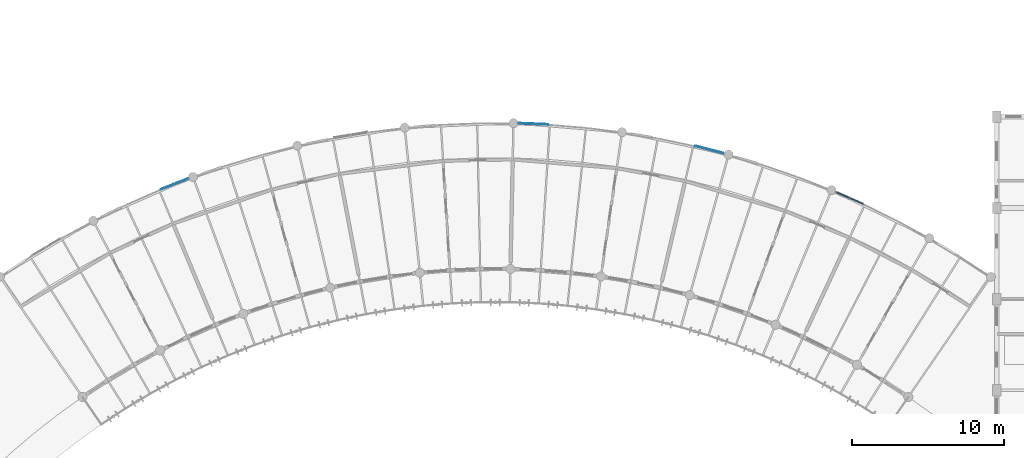
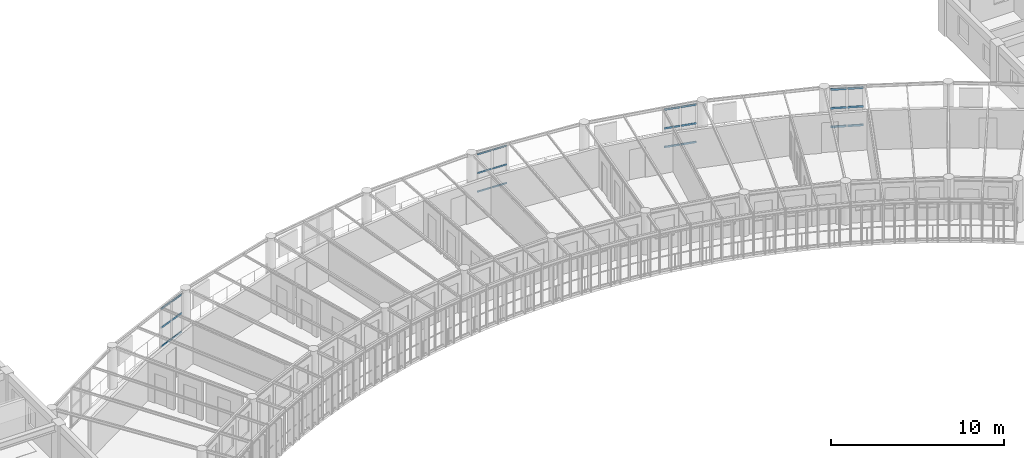
# One storey, part 43 of 100: 24 members, 4 elements without a shape of their own.
"""IFC4 building model written with IfcOpenShell, lengths in metres."""

from ifc_helpers import new_model, si_unit, direction, frame, origin, origin_2d, place, context, subcontext, project, spatial, rectangle, extrude, material, layer, layer_set, material_profile, profile_set, type_object, element, aggregate, save


model = new_model("IFC4")

# Units and contexts
model_context = context("Model", 3, precision=1e-05, world=origin(), true_north=direction((0.0, 1.0)))
body_context = subcontext(model_context, "Body", "Model", "MODEL_VIEW")
ifc_project = project(units=[si_unit("LENGTHUNIT", "METRE"), si_unit("AREAUNIT", "SQUARE_METRE"), si_unit("VOLUMEUNIT", "CUBIC_METRE"), si_unit("PLANEANGLEUNIT", "RADIAN"), si_unit("MASSUNIT", "GRAM", prefix="KILO"), si_unit("POWERUNIT", "WATT"), si_unit("THERMODYNAMICTEMPERATUREUNIT", "KELVIN")], contexts=[model_context])

# Site, building, storey
site_placement = place(None, origin())
site = spatial("IfcSite", under=ifc_project, at=site_placement, CompositionType="ELEMENT")
building_placement = place(site_placement, origin())
building = spatial("IfcBuilding", under=site, at=building_placement, Name="Ruvembo Vaulted Housing Court", CompositionType="ELEMENT")
storey_placement = place(building_placement, frame((0.0, 0.0, 14.10009765625)))
storey = spatial("IfcBuildingStorey", under=building, at=storey_placement, Name="L04", CompositionType="ELEMENT", Elevation=14.10009765625)

# Curtain wall, members
ifc_material_1 = material(Name="Anodised Aluminium and Solar-Control Glass", Category="aluminium")
ifc_layer_1 = layer(ifc_material_1, 0.1201171875, Name="Anodised Aluminium and Solar-Control Glass")
ifc_layer_set_1 = layer_set([ifc_layer_1], Name="Anodised Aluminium and Solar-Control Glass")
curtain_wall_type_1 = type_object("IfcCurtainWallType", Name="CW-SCOOP-GAL", PredefinedType="NOTDEFINED", material=ifc_layer_set_1)
curtain_wall_1_placement = place(storey_placement, origin())
curtain_wall_1 = element("IfcCurtainWall", 1, at=curtain_wall_1_placement, inside=storey, type_object=curtain_wall_type_1, Name="L04 Curtain Wall CW-L04-0078", PredefinedType="NOTDEFINED")
ifc_material_2 = material(Name="Anodised Aluminium 6063-T6", Category="aluminium")
ifc_material_profile_1 = material_profile(ifc_material_2, rectangle(XDim=0.06005859375, YDim=0.1201171875, at=origin_2d()), Name="ALU 60x120")
ifc_profile_set_1 = profile_set([ifc_material_profile_1], Name="Anodised Aluminium 6063-T6")
member_type_1 = type_object("IfcMemberType", Name="CW-TRANSOM-65x120", PredefinedType="USERDEFINED", material=ifc_profile_set_1)
member_1_placement = place(storey_placement, frame((94.976806640625, 103.220947265625, 0.02978515625), z_axis=(0.930973198487, 0.365087528818, 0.0), x_axis=(-0.365087528818, 0.930973198487, 0.0)))
member_1 = element("IfcMember", 2, at=member_1_placement, type_object=member_type_1, Name="CW6 transom 1.1", ObjectType="TRANSOM", PredefinedType="USERDEFINED", context=body_context, shape_type="SweptSolid", body=[
    extrude(rectangle(XDim=0.06005859375, YDim=0.1201171875, at=origin_2d()), origin(), (0.0, 0.0, 1.0), 0.9228515625),
])
member_2_placement = place(storey_placement, frame((94.976806640625, 103.220947265625, 1.348876953125), z_axis=(0.930973198487, 0.365087528818, 0.0), x_axis=(-0.365087528818, 0.930973198487, 0.0)))
member_2 = element("IfcMember", 3, at=member_2_placement, type_object=member_type_1, Name="CW6 transom 1.2", ObjectType="TRANSOM", PredefinedType="USERDEFINED", context=body_context, shape_type="SweptSolid", body=[
    extrude(rectangle(XDim=0.06005859375, YDim=0.1201171875, at=origin_2d()), origin(), (0.0, 0.0, 1.0), 0.9228515625),
])
member_3_placement = place(storey_placement, frame((94.976806640625, 103.220947265625, 2.66796875), z_axis=(0.930973198487, 0.365087528818, 0.0), x_axis=(-0.365087528818, 0.930973198487, 0.0)))
member_3 = element("IfcMember", 4, at=member_3_placement, type_object=member_type_1, Name="CW6 transom 1.3", ObjectType="TRANSOM", PredefinedType="USERDEFINED", context=body_context, shape_type="SweptSolid", body=[
    extrude(rectangle(XDim=0.06005859375, YDim=0.1201171875, at=origin_2d()), origin(), (0.0, 0.0, 1.0), 0.9228515625),
])
member_4_placement = place(storey_placement, frame((95.896484375, 103.58154296875, 0.02978515625), z_axis=(0.930973198487, 0.365087528818, 0.0), x_axis=(-0.365087528818, 0.930973198487, 0.0)))
member_4 = element("IfcMember", 5, at=member_4_placement, type_object=member_type_1, Name="CW6 transom 2.1", ObjectType="TRANSOM", PredefinedType="USERDEFINED", context=body_context, shape_type="SweptSolid", body=[
    extrude(rectangle(XDim=0.06005859375, YDim=0.1201171875, at=origin_2d()), origin(), (0.0, 0.0, 1.0), 0.9228515625),
])
member_5_placement = place(storey_placement, frame((95.896484375, 103.58154296875, 1.348876953125), z_axis=(0.930973198487, 0.365087528818, 0.0), x_axis=(-0.365087528818, 0.930973198487, 0.0)))
member_5 = element("IfcMember", 6, at=member_5_placement, type_object=member_type_1, Name="CW6 transom 2.2", ObjectType="TRANSOM", PredefinedType="USERDEFINED", context=body_context, shape_type="SweptSolid", body=[
    extrude(rectangle(XDim=0.06005859375, YDim=0.1201171875, at=origin_2d()), origin(), (0.0, 0.0, 1.0), 0.9228515625),
])
member_6_placement = place(storey_placement, frame((95.896484375, 103.58154296875, 2.66796875), z_axis=(0.930973198487, 0.365087528818, 0.0), x_axis=(-0.365087528818, 0.930973198487, 0.0)))
member_6 = element("IfcMember", 7, at=member_6_placement, type_object=member_type_1, Name="CW6 transom 2.3", ObjectType="TRANSOM", PredefinedType="USERDEFINED", context=body_context, shape_type="SweptSolid", body=[
    extrude(rectangle(XDim=0.06005859375, YDim=0.1201171875, at=origin_2d()), origin(), (0.0, 0.0, 1.0), 0.9228515625),
])
aggregate(curtain_wall_1, [member_1, member_2, member_3, member_4, member_5, member_6])

ifc_layer_2 = layer(ifc_material_1, 0.139892578125, Name="Anodised Aluminium and Solar-Control Glass")
ifc_layer_set_2 = layer_set([ifc_layer_2], Name="Anodised Aluminium and Solar-Control Glass")
curtain_wall_type_2 = type_object("IfcCurtainWallType", Name="CW-SCOOP-PAN", PredefinedType="NOTDEFINED", material=ifc_layer_set_2)
curtain_wall_2_placement = place(storey_placement, origin())
curtain_wall_2 = element("IfcCurtainWall", 8, at=curtain_wall_2_placement, inside=storey, type_object=curtain_wall_type_2, Name="L04 Curtain Wall CW-L04-0081", PredefinedType="NOTDEFINED")
member_7_placement = place(storey_placement, frame((130.143310546875, 106.078125, 0.02978515625), z_axis=(0.969162157618, -0.246423846738, 0.0), x_axis=(0.246423846738, 0.969162157618, 0.0)))
member_7 = element("IfcMember", 9, at=member_7_placement, type_object=member_type_1, Name="CW10 transom 1.1", ObjectType="TRANSOM", PredefinedType="USERDEFINED", context=body_context, shape_type="SweptSolid", body=[
    extrude(rectangle(XDim=0.06005859375, YDim=0.1201171875, at=origin_2d()), origin(), (0.0, 0.0, 1.0), 0.930419921875),
])
member_8_placement = place(storey_placement, frame((130.143310546875, 106.078125, 1.348876953125), z_axis=(0.969162157618, -0.246423846738, 0.0), x_axis=(0.246423846738, 0.969162157618, 0.0)))
member_8 = element("IfcMember", 10, at=member_8_placement, type_object=member_type_1, Name="CW10 transom 1.2", ObjectType="TRANSOM", PredefinedType="USERDEFINED", context=body_context, shape_type="SweptSolid", body=[
    extrude(rectangle(XDim=0.06005859375, YDim=0.1201171875, at=origin_2d()), origin(), (0.0, 0.0, 1.0), 0.930419921875),
])
member_9_placement = place(storey_placement, frame((130.143310546875, 106.078125, 2.66796875), z_axis=(0.969162157618, -0.246423846738, 0.0), x_axis=(0.246423846738, 0.969162157618, 0.0)))
member_9 = element("IfcMember", 11, at=member_9_placement, type_object=member_type_1, Name="CW10 transom 1.3", ObjectType="TRANSOM", PredefinedType="USERDEFINED", context=body_context, shape_type="SweptSolid", body=[
    extrude(rectangle(XDim=0.06005859375, YDim=0.1201171875, at=origin_2d()), origin(), (0.0, 0.0, 1.0), 0.930419921875),
])
member_10_placement = place(storey_placement, frame((131.10302734375, 105.833984375, 0.02978515625), z_axis=(0.969178087661, -0.246361186874, 0.0), x_axis=(0.246361186874, 0.969178087661, 0.0)))
member_10 = element("IfcMember", 12, at=member_10_placement, type_object=member_type_1, Name="CW10 transom 2.1", ObjectType="TRANSOM", PredefinedType="USERDEFINED", context=body_context, shape_type="SweptSolid", body=[
    extrude(rectangle(XDim=0.06005859375, YDim=0.1201171875, at=origin_2d()), origin(), (0.0, 0.0, 1.0), 0.930419921875),
])
member_11_placement = place(storey_placement, frame((131.10302734375, 105.833984375, 1.348876953125), z_axis=(0.969178087661, -0.246361186874, 0.0), x_axis=(0.246361186874, 0.969178087661, 0.0)))
member_11 = element("IfcMember", 13, at=member_11_placement, type_object=member_type_1, Name="CW10 transom 2.2", ObjectType="TRANSOM", PredefinedType="USERDEFINED", context=body_context, shape_type="SweptSolid", body=[
    extrude(rectangle(XDim=0.06005859375, YDim=0.1201171875, at=origin_2d()), origin(), (0.0, 0.0, 1.0), 0.930419921875),
])
member_12_placement = place(storey_placement, frame((131.10302734375, 105.833984375, 2.66796875), z_axis=(0.969178087661, -0.246361186874, 0.0), x_axis=(0.246361186874, 0.969178087661, 0.0)))
member_12 = element("IfcMember", 14, at=member_12_placement, type_object=member_type_1, Name="CW10 transom 2.3", ObjectType="TRANSOM", PredefinedType="USERDEFINED", context=body_context, shape_type="SweptSolid", body=[
    extrude(rectangle(XDim=0.06005859375, YDim=0.1201171875, at=origin_2d()), origin(), (0.0, 0.0, 1.0), 0.930419921875),
])
aggregate(curtain_wall_2, [member_7, member_8, member_9, member_10, member_11, member_12])

curtain_wall_3_placement = place(storey_placement, origin())
curtain_wall_3 = element("IfcCurtainWall", 15, at=curtain_wall_3_placement, inside=storey, type_object=curtain_wall_type_1, Name="L04 Curtain Wall CW-L04-0080", PredefinedType="NOTDEFINED")
ifc_material_profile_2 = material_profile(ifc_material_2, rectangle(XDim=0.06005859375, YDim=0.10009765625, at=origin_2d()), Name="ALU 60x100")
ifc_profile_set_2 = profile_set([ifc_material_profile_2], Name="Anodised Aluminium 6063-T6")
member_type_2 = type_object("IfcMemberType", Name="CW-TRN-60x100", PredefinedType="USERDEFINED", material=ifc_profile_set_2)
member_13_placement = place(storey_placement, frame((118.554931640625, 107.57275390625, 0.02978515625), z_axis=(0.999140333516, -0.041455927704, 0.0), x_axis=(0.041455927704, 0.999140333516, 0.0)))
member_13 = element("IfcMember", 16, at=member_13_placement, type_object=member_type_2, Name="CW6 transom 1.1", ObjectType="TRANSOM", PredefinedType="USERDEFINED", context=body_context, shape_type="SweptSolid", body=[
    extrude(rectangle(XDim=0.06005859375, YDim=0.10009765625, at=origin_2d()), origin(), (0.0, 0.0, 1.0), 0.930419921875),
])
member_14_placement = place(storey_placement, frame((118.554931640625, 107.57275390625, 1.348876953125), z_axis=(0.999140333516, -0.041455927704, 0.0), x_axis=(0.041455927704, 0.999140333516, 0.0)))
member_14 = element("IfcMember", 17, at=member_14_placement, type_object=member_type_2, Name="CW6 transom 1.2", ObjectType="TRANSOM", PredefinedType="USERDEFINED", context=body_context, shape_type="SweptSolid", body=[
    extrude(rectangle(XDim=0.06005859375, YDim=0.10009765625, at=origin_2d()), origin(), (0.0, 0.0, 1.0), 0.930419921875),
])
member_15_placement = place(storey_placement, frame((118.554931640625, 107.57275390625, 2.66796875), z_axis=(0.999140333516, -0.041455927704, 0.0), x_axis=(0.041455927704, 0.999140333516, 0.0)))
member_15 = element("IfcMember", 18, at=member_15_placement, type_object=member_type_2, Name="CW6 transom 1.3", ObjectType="TRANSOM", PredefinedType="USERDEFINED", context=body_context, shape_type="SweptSolid", body=[
    extrude(rectangle(XDim=0.06005859375, YDim=0.10009765625, at=origin_2d()), origin(), (0.0, 0.0, 1.0), 0.930419921875),
])
member_16_placement = place(storey_placement, frame((119.544677734375, 107.531494140625, 0.02978515625), z_axis=(0.999140333516, -0.041455927704, 0.0), x_axis=(0.041455927704, 0.999140333516, 0.0)))
member_16 = element("IfcMember", 19, at=member_16_placement, type_object=member_type_2, Name="CW6 transom 2.1", ObjectType="TRANSOM", PredefinedType="USERDEFINED", context=body_context, shape_type="SweptSolid", body=[
    extrude(rectangle(XDim=0.06005859375, YDim=0.10009765625, at=origin_2d()), origin(), (0.0, 0.0, 1.0), 0.930419921875),
])
member_17_placement = place(storey_placement, frame((119.544677734375, 107.531494140625, 1.348876953125), z_axis=(0.999140333516, -0.041455927704, 0.0), x_axis=(0.041455927704, 0.999140333516, 0.0)))
member_17 = element("IfcMember", 20, at=member_17_placement, type_object=member_type_2, Name="CW6 transom 2.2", ObjectType="TRANSOM", PredefinedType="USERDEFINED", context=body_context, shape_type="SweptSolid", body=[
    extrude(rectangle(XDim=0.06005859375, YDim=0.10009765625, at=origin_2d()), origin(), (0.0, 0.0, 1.0), 0.930419921875),
])
member_18_placement = place(storey_placement, frame((119.544677734375, 107.531494140625, 2.66796875), z_axis=(0.999140333516, -0.041455927704, 0.0), x_axis=(0.041455927704, 0.999140333516, 0.0)))
member_18 = element("IfcMember", 21, at=member_18_placement, type_object=member_type_2, Name="CW6 transom 2.3", ObjectType="TRANSOM", PredefinedType="USERDEFINED", context=body_context, shape_type="SweptSolid", body=[
    extrude(rectangle(XDim=0.06005859375, YDim=0.10009765625, at=origin_2d()), origin(), (0.0, 0.0, 1.0), 0.930419921875),
])
aggregate(curtain_wall_3, [member_13, member_14, member_15, member_16, member_17, member_18])

curtain_wall_4_placement = place(storey_placement, origin())
curtain_wall_4 = element("IfcCurtainWall", 22, at=curtain_wall_4_placement, inside=storey, type_object=curtain_wall_type_2, Name="L04 Curtain Wall CW-L04-0082", PredefinedType="NOTDEFINED")
ifc_material_profile_3 = material_profile(ifc_material_2, rectangle(XDim=0.06494140625, YDim=0.135009765625, at=origin_2d()), Name="ALU 65x135")
ifc_profile_set_3 = profile_set([ifc_material_profile_3], Name="Anodised Aluminium 6063-T6")
member_type_3 = type_object("IfcMemberType", Name="CW-TRN-65x135", PredefinedType="USERDEFINED", material=ifc_profile_set_3)
member_19_placement = place(storey_placement, frame((139.46435546875, 103.03173828125, 0.032470703125), z_axis=(0.915115968144, -0.40319073011, 0.0), x_axis=(0.40319073011, 0.915115968144, 0.0)))
member_19 = element("IfcMember", 23, at=member_19_placement, type_object=member_type_3, Name="CW10 transom 1.1", ObjectType="TRANSOM", PredefinedType="USERDEFINED", context=body_context, shape_type="SweptSolid", body=[
    extrude(rectangle(XDim=0.06494140625, YDim=0.135009765625, at=origin_2d()), origin(), (0.0, 0.0, 1.0), 0.9228515625),
])
member_20_placement = place(storey_placement, frame((139.46435546875, 103.03173828125, 1.348876953125), z_axis=(0.915115968144, -0.40319073011, 0.0), x_axis=(0.40319073011, 0.915115968144, 0.0)))
member_20 = element("IfcMember", 24, at=member_20_placement, type_object=member_type_3, Name="CW10 transom 1.2", ObjectType="TRANSOM", PredefinedType="USERDEFINED", context=body_context, shape_type="SweptSolid", body=[
    extrude(rectangle(XDim=0.06494140625, YDim=0.135009765625, at=origin_2d()), origin(), (0.0, 0.0, 1.0), 0.9228515625),
])
member_21_placement = place(storey_placement, frame((139.46435546875, 103.03173828125, 2.665283203125), z_axis=(0.915115968144, -0.40319073011, 0.0), x_axis=(0.40319073011, 0.915115968144, 0.0)))
member_21 = element("IfcMember", 25, at=member_21_placement, type_object=member_type_3, Name="CW10 transom 1.3", ObjectType="TRANSOM", PredefinedType="USERDEFINED", context=body_context, shape_type="SweptSolid", body=[
    extrude(rectangle(XDim=0.06494140625, YDim=0.135009765625, at=origin_2d()), origin(), (0.0, 0.0, 1.0), 0.9228515625),
])
member_22_placement = place(storey_placement, frame((140.368408203125, 102.63330078125, 0.032470703125), z_axis=(0.915115968144, -0.40319073011, 0.0), x_axis=(0.40319073011, 0.915115968144, 0.0)))
member_22 = element("IfcMember", 26, at=member_22_placement, type_object=member_type_3, Name="CW10 transom 2.1", ObjectType="TRANSOM", PredefinedType="USERDEFINED", context=body_context, shape_type="SweptSolid", body=[
    extrude(rectangle(XDim=0.06494140625, YDim=0.135009765625, at=origin_2d()), origin(), (0.0, 0.0, 1.0), 0.9228515625),
])
member_23_placement = place(storey_placement, frame((140.368408203125, 102.63330078125, 1.348876953125), z_axis=(0.915115968144, -0.40319073011, 0.0), x_axis=(0.40319073011, 0.915115968144, 0.0)))
member_23 = element("IfcMember", 27, at=member_23_placement, type_object=member_type_3, Name="CW10 transom 2.2", ObjectType="TRANSOM", PredefinedType="USERDEFINED", context=body_context, shape_type="SweptSolid", body=[
    extrude(rectangle(XDim=0.06494140625, YDim=0.135009765625, at=origin_2d()), origin(), (0.0, 0.0, 1.0), 0.9228515625),
])
member_24_placement = place(storey_placement, frame((140.368408203125, 102.63330078125, 2.665283203125), z_axis=(0.915115968144, -0.40319073011, 0.0), x_axis=(0.40319073011, 0.915115968144, 0.0)))
member_24 = element("IfcMember", 28, at=member_24_placement, type_object=member_type_3, Name="CW10 transom 2.3", ObjectType="TRANSOM", PredefinedType="USERDEFINED", context=body_context, shape_type="SweptSolid", body=[
    extrude(rectangle(XDim=0.06494140625, YDim=0.135009765625, at=origin_2d()), origin(), (0.0, 0.0, 1.0), 0.9228515625),
])
aggregate(curtain_wall_4, [member_19, member_20, member_21, member_22, member_23, member_24])

save(model, "model.ifc")
